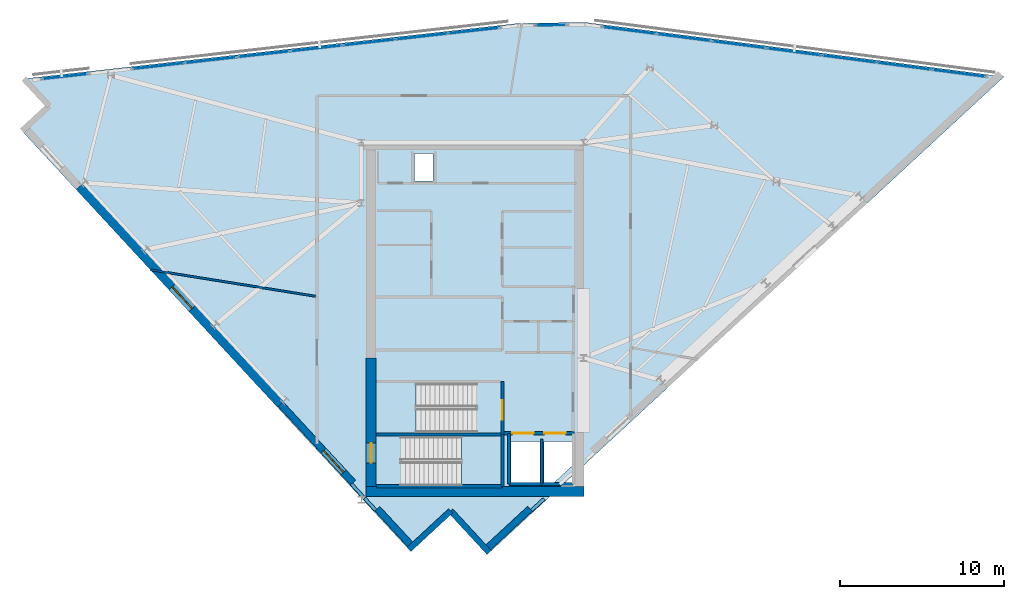
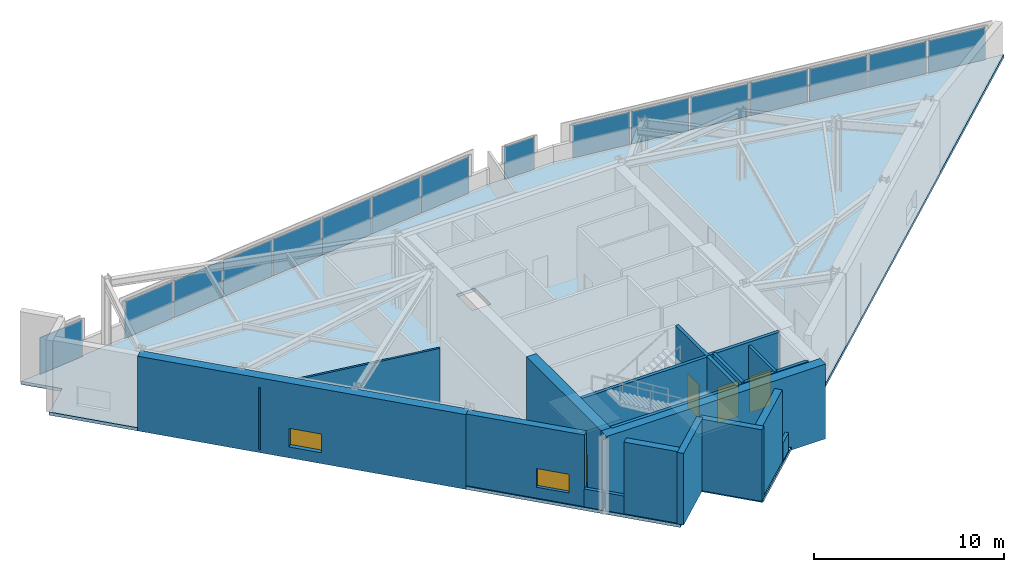
# One storey, part 8 of 12: 20 walls, 16 plates, 4 doors, 3 slabs, 2 windows, 6 openings, 6 elements without a shape of their own.
"""IFC4 building model written with IfcOpenShell, lengths in metres."""

from ifc_helpers import new_model, si_unit, direction, frame, frame_2d, origin, origin_2d, place, context, subcontext, project, spatial, polyline, rectangle, outline, extrude, material, layer, layer_set, type_object, element, fill, aggregate, save


model = new_model("IFC4")

# Units and contexts
model_context = context("Model", 3, precision=1e-05, world=origin(), true_north=direction((0.0, 1.0)))
body_context = subcontext(model_context, "Body", "Model", "MODEL_VIEW")
ifc_project = project(units=[si_unit("LENGTHUNIT", "METRE"), si_unit("AREAUNIT", "SQUARE_METRE"), si_unit("VOLUMEUNIT", "CUBIC_METRE"), si_unit("PLANEANGLEUNIT", "RADIAN"), si_unit("MASSUNIT", "GRAM", prefix="KILO")], contexts=[model_context])

# Site, building, storey
site_placement = place(None, origin())
site = spatial("IfcSite", under=ifc_project, at=site_placement, CompositionType="ELEMENT")
building_placement = place(site_placement, origin())
building = spatial("IfcBuilding", under=site, at=building_placement, Name="Narakoshi Arena Tower", CompositionType="ELEMENT")
storey_placement = place(building_placement, frame((0.0, 0.0, 307.780029296875)))
storey = spatial("IfcBuildingStorey", under=building, at=storey_placement, Name="L83", CompositionType="ELEMENT", Elevation=307.780029296875)

# Curtain wall, plate
ifc_material_1 = material(Name="Anodised bronze aluminium 6063-T6", Category="aluminium")
curtain_wall_type = type_object("IfcCurtainWallType", Name="CW-CRN-FACET", PredefinedType="NOTDEFINED", material=ifc_material_1)
curtain_wall_1_placement = place(storey_placement, origin())
curtain_wall_1 = element("IfcCurtainWall", 1, at=curtain_wall_1_placement, inside=storey, type_object=curtain_wall_type, Name="L83 Slanted-Cut Crown Curtain Wall 6-1", PredefinedType="NOTDEFINED")
ifc_material_2 = material(Name="Bronze-tinted low-E laminated glass", Category="glass")
ifc_layer_1 = layer(ifc_material_2, 0.0439453125)
ifc_layer_set_1 = layer_set([ifc_layer_1], Name="Bronze-tinted low-E laminated glass")
plate_type = type_object("IfcPlateType", Name="PLT-GLZ-44", PredefinedType="CURTAIN_PANEL", material=ifc_layer_set_1)
plate_1_placement = place(storey_placement, frame((53.931640625, 60.52734375, 0.06982421875), z_axis=(0.0, 0.0, 1.0), x_axis=(0.993776228952, 0.1113948238, 0.0)))
plate_1 = element("IfcPlate", 2, at=plate_1_placement, type_object=plate_type, Name="CW-06 panel 1.1", PredefinedType="CURTAIN_PANEL", context=body_context, shape_type="SweptSolid", body=[
    extrude(rectangle(XDim=2.756591796875, YDim=0.0439453125, at=origin_2d()), origin(), (0.0, 0.0, 1.0), 2.347412109375),
])
aggregate(curtain_wall_1, [plate_1])

# Curtain wall, plates
curtain_wall_2_placement = place(storey_placement, origin())
curtain_wall_2 = element("IfcCurtainWall", 3, at=curtain_wall_2_placement, inside=storey, type_object=curtain_wall_type, Name="L83 Slanted-Cut Crown Curtain Wall 6-2", PredefinedType="NOTDEFINED")
plate_2_placement = place(storey_placement, frame((59.628662109375, 61.166015625, 0.06982421875), z_axis=(0.0, 0.0, 1.0), x_axis=(0.993776180576, 0.11139525537, 0.0)))
plate_2 = element("IfcPlate", 4, at=plate_2_placement, type_object=plate_type, Name="CW-06 panel 1.1", PredefinedType="CURTAIN_PANEL", context=body_context, shape_type="SweptSolid", body=[
    extrude(rectangle(XDim=3.11572265625, YDim=0.0439453125, at=origin_2d()), origin(), (0.0, 0.0, 1.0), 2.347412109375),
])
plate_3_placement = place(storey_placement, frame((62.824462890625, 61.524169921875, 0.06982421875), z_axis=(0.0, 0.0, 1.0), x_axis=(0.993776180576, 0.11139525537, 0.0)))
plate_3 = element("IfcPlate", 5, at=plate_3_placement, type_object=plate_type, Name="CW-06 panel 2.1", PredefinedType="CURTAIN_PANEL", context=body_context, shape_type="SweptSolid", body=[
    extrude(rectangle(XDim=3.15576171875, YDim=0.0439453125, at=origin_2d()), origin(), (0.0, 0.0, 1.0), 2.347412109375),
])
plate_4_placement = place(storey_placement, frame((66.040283203125, 61.884521484375, 0.06982421875), z_axis=(0.0, 0.0, 1.0), x_axis=(0.993776180576, 0.11139525537, 0.0)))
plate_4 = element("IfcPlate", 6, at=plate_4_placement, type_object=plate_type, Name="CW-06 panel 3.1", PredefinedType="CURTAIN_PANEL", context=body_context, shape_type="SweptSolid", body=[
    extrude(rectangle(XDim=3.15576171875, YDim=0.0439453125, at=origin_2d()), origin(), (0.0, 0.0, 1.0), 2.347412109375),
])
plate_5_placement = place(storey_placement, frame((69.255859375, 62.2451171875, 0.06982421875), z_axis=(0.0, 0.0, 1.0), x_axis=(0.993776180576, 0.11139525537, 0.0)))
plate_5 = element("IfcPlate", 7, at=plate_5_placement, type_object=plate_type, Name="CW-06 panel 4.1", PredefinedType="CURTAIN_PANEL", context=body_context, shape_type="SweptSolid", body=[
    extrude(rectangle(XDim=3.15576171875, YDim=0.0439453125, at=origin_2d()), origin(), (0.0, 0.0, 1.0), 2.347412109375),
])
plate_6_placement = place(storey_placement, frame((72.4716796875, 62.60546875, 0.06982421875), z_axis=(0.0, 0.0, 1.0), x_axis=(0.993776180576, 0.11139525537, 0.0)))
plate_6 = element("IfcPlate", 8, at=plate_6_placement, type_object=plate_type, Name="CW-06 panel 5.1", PredefinedType="CURTAIN_PANEL", context=body_context, shape_type="SweptSolid", body=[
    extrude(rectangle(XDim=3.15576171875, YDim=0.0439453125, at=origin_2d()), origin(), (0.0, 0.0, 1.0), 2.347412109375),
])
plate_7_placement = place(storey_placement, frame((75.687255859375, 62.966064453125, 0.06982421875), z_axis=(0.0, 0.0, 1.0), x_axis=(0.993776180576, 0.11139525537, 0.0)))
plate_7 = element("IfcPlate", 9, at=plate_7_placement, type_object=plate_type, Name="CW-06 panel 6.1", PredefinedType="CURTAIN_PANEL", context=body_context, shape_type="SweptSolid", body=[
    extrude(rectangle(XDim=3.15576171875, YDim=0.0439453125, at=origin_2d()), origin(), (0.0, 0.0, 1.0), 2.347412109375),
])
plate_8_placement = place(storey_placement, frame((78.883056640625, 63.32421875, 0.06982421875), z_axis=(0.0, 0.0, 1.0), x_axis=(0.993776180576, 0.11139525537, 0.0)))
plate_8 = element("IfcPlate", 10, at=plate_8_placement, type_object=plate_type, Name="CW-06 panel 7.1", PredefinedType="CURTAIN_PANEL", context=body_context, shape_type="SweptSolid", body=[
    extrude(rectangle(XDim=3.11572265625, YDim=0.0439453125, at=origin_2d()), origin(), (0.0, 0.0, 1.0), 2.347412109375),
])
aggregate(curtain_wall_2, [plate_2, plate_3, plate_4, plate_5, plate_6, plate_7, plate_8])

# Curtain wall, plate
curtain_wall_3_placement = place(storey_placement, origin())
curtain_wall_3 = element("IfcCurtainWall", 11, at=curtain_wall_3_placement, inside=storey, type_object=curtain_wall_type, Name="L83 Slanted-Cut Crown Curtain Wall 7-1", PredefinedType="NOTDEFINED")
plate_9_placement = place(storey_placement, frame((83.594970703125, 63.656494140625, 0.06982421875), z_axis=(0.0, 0.0, 1.0), x_axis=(0.999864998293, 0.016431226006, 0.0)))
plate_9 = element("IfcPlate", 12, at=plate_9_placement, type_object=plate_type, Name="CW-06 panel 1.1", PredefinedType="CURTAIN_PANEL", context=body_context, shape_type="SweptSolid", body=[
    extrude(rectangle(XDim=1.848388671875, YDim=0.0439453125, at=origin_2d()), origin(), (0.0, 0.0, 1.0), 2.081787109375),
])
aggregate(curtain_wall_3, [plate_9])

# Curtain wall, plates
curtain_wall_4_placement = place(storey_placement, origin())
curtain_wall_4 = element("IfcCurtainWall", 13, at=curtain_wall_4_placement, inside=storey, type_object=curtain_wall_type, Name="L83 Slanted-Cut Crown Curtain Wall 8-1", PredefinedType="NOTDEFINED")
plate_10_placement = place(storey_placement, frame((88.367431640625, 63.335693359375, 0.06982421875), z_axis=(0.0, 0.0, 1.0), x_axis=(0.991658958218, -0.128889528611, 0.0)))
plate_10 = element("IfcPlate", 14, at=plate_10_placement, type_object=plate_type, Name="CW-06 panel 1.1", PredefinedType="CURTAIN_PANEL", context=body_context, shape_type="SweptSolid", body=[
    extrude(rectangle(XDim=3.263427734375, YDim=0.0439453125, at=origin_2d()), origin(), (0.0, 0.0, 1.0), 2.081787109375),
])
plate_11_placement = place(storey_placement, frame((91.70263671875, 62.902099609375, 0.06982421875), z_axis=(0.0, 0.0, 1.0), x_axis=(0.991658958218, -0.128889528611, 0.0)))
plate_11 = element("IfcPlate", 15, at=plate_11_placement, type_object=plate_type, Name="CW-06 panel 2.1", PredefinedType="CURTAIN_PANEL", context=body_context, shape_type="SweptSolid", body=[
    extrude(rectangle(XDim=3.303466796875, YDim=0.0439453125, at=origin_2d()), origin(), (0.0, 0.0, 1.0), 2.081787109375),
])
plate_12_placement = place(storey_placement, frame((95.057861328125, 62.466064453125, 0.06982421875), z_axis=(0.0, 0.0, 1.0), x_axis=(0.991658958218, -0.128889528611, 0.0)))
plate_12 = element("IfcPlate", 16, at=plate_12_placement, type_object=plate_type, Name="CW-06 panel 3.1", PredefinedType="CURTAIN_PANEL", context=body_context, shape_type="SweptSolid", body=[
    extrude(rectangle(XDim=3.303466796875, YDim=0.0439453125, at=origin_2d()), origin(), (0.0, 0.0, 1.0), 2.081787109375),
])
plate_13_placement = place(storey_placement, frame((98.4130859375, 62.02978515625, 0.06982421875), z_axis=(0.0, 0.0, 1.0), x_axis=(0.991658958218, -0.128889528611, 0.0)))
plate_13 = element("IfcPlate", 17, at=plate_13_placement, type_object=plate_type, Name="CW-06 panel 4.1", PredefinedType="CURTAIN_PANEL", context=body_context, shape_type="SweptSolid", body=[
    extrude(rectangle(XDim=3.303466796875, YDim=0.0439453125, at=origin_2d()), origin(), (0.0, 0.0, 1.0), 2.081787109375),
])
plate_14_placement = place(storey_placement, frame((101.768310546875, 61.59375, 0.06982421875), z_axis=(0.0, 0.0, 1.0), x_axis=(0.991658958218, -0.128889528611, 0.0)))
plate_14 = element("IfcPlate", 18, at=plate_14_placement, type_object=plate_type, Name="CW-06 panel 5.1", PredefinedType="CURTAIN_PANEL", context=body_context, shape_type="SweptSolid", body=[
    extrude(rectangle(XDim=3.303466796875, YDim=0.0439453125, at=origin_2d()), origin(), (0.0, 0.0, 1.0), 2.081787109375),
])
plate_15_placement = place(storey_placement, frame((105.12353515625, 61.15771484375, 0.06982421875), z_axis=(0.0, 0.0, 1.0), x_axis=(0.991658958218, -0.128889528611, 0.0)))
plate_15 = element("IfcPlate", 19, at=plate_15_placement, type_object=plate_type, Name="CW-06 panel 6.1", PredefinedType="CURTAIN_PANEL", context=body_context, shape_type="SweptSolid", body=[
    extrude(rectangle(XDim=3.303466796875, YDim=0.0439453125, at=origin_2d()), origin(), (0.0, 0.0, 1.0), 2.081787109375),
])
plate_16_placement = place(storey_placement, frame((108.458740234375, 60.72412109375, 0.06982421875), z_axis=(0.0, 0.0, 1.0), x_axis=(0.991658958218, -0.128889528611, 0.0)))
plate_16 = element("IfcPlate", 20, at=plate_16_placement, type_object=plate_type, Name="CW-06 panel 7.1", PredefinedType="CURTAIN_PANEL", context=body_context, shape_type="SweptSolid", body=[
    extrude(rectangle(XDim=3.263427734375, YDim=0.0439453125, at=origin_2d()), origin(), (0.0, 0.0, 1.0), 2.081787109375),
])
aggregate(curtain_wall_4, [plate_10, plate_11, plate_12, plate_13, plate_14, plate_15, plate_16])

# Stair, slab
ifc_material_3 = material(Name="Concrete C45/55", Category="concrete")
stair_type = type_object("IfcStairType", Name="STR-CRN-480", PredefinedType="TWO_STRAIGHT_RUN_STAIR", material=ifc_material_3)
stair_1_placement = place(storey_placement, origin())
stair_1 = element("IfcStair", 21, at=stair_1_placement, inside=storey, type_object=stair_type, Name="L83 Core Escape Stair ST1", PredefinedType="TWO_STRAIGHT_RUN_STAIR")
ifc_layer_2 = layer(ifc_material_3, 0.18994140625)
ifc_layer_set_2 = layer_set([ifc_layer_2], Name="Concrete C45/55")
slab_type_1 = type_object("IfcSlabType", Name="SLB-LND-190", PredefinedType="LANDING", material=ifc_layer_set_2)
slab_1_placement = place(storey_placement, frame((0.0, 0.0, 2.2099609375)))
slab_1 = element("IfcSlab", 22, at=slab_1_placement, type_object=slab_type_1, Name="ST1 landing 1", PredefinedType="LANDING", context=body_context, shape_type="SweptSolid", body=[
    extrude(outline(polyline([(78.10498046875, 35.3701171875), (80.679931640625, 35.3701171875), (80.679931640625, 38.72998046875), (78.10498046875, 38.72998046875), (78.10498046875, 35.3701171875)])), origin(), (0.0, 0.0, 1.0), 0.18994140625),
])
aggregate(stair_1, [slab_1])

stair_2_placement = place(storey_placement, origin())
stair_2 = element("IfcStair", 23, at=stair_2_placement, inside=storey, type_object=stair_type, Name="L83 Core Escape Stair ST2", PredefinedType="TWO_STRAIGHT_RUN_STAIR")
slab_2_placement = place(storey_placement, frame((0.0, 0.0, 2.2099609375)))
slab_2 = element("IfcSlab", 24, at=slab_2_placement, type_object=slab_type_1, Name="ST2 landing 1", PredefinedType="LANDING", context=body_context, shape_type="SweptSolid", body=[
    extrude(outline(polyline([(72.77001953125, 38.6201171875), (75.344970703125, 38.6201171875), (75.344970703125, 41.97998046875), (72.77001953125, 41.97998046875), (72.77001953125, 38.6201171875)])), origin(), (0.0, 0.0, 1.0), 0.18994140625),
])
aggregate(stair_2, [slab_2])

# Slab
ifc_layer_3 = layer(ifc_material_3, 0.199951171875)
ifc_layer_set_3 = layer_set([ifc_layer_3], Name="Concrete C45/55")
slab_type_2 = type_object("IfcSlabType", Name="SLB-TWR-200", PredefinedType="FLOOR", material=ifc_layer_set_3)
slab_3_placement = place(storey_placement, frame((0.0, 0.0, -0.199951171875)))
element("IfcSlab", 25, at=slab_3_placement, inside=storey, type_object=slab_type_2, Name="L83 Structural Floor Slab", PredefinedType="FLOOR", context=body_context, shape_type="SweptSolid", body=[
    extrude(outline(polyline([(79.8056640625, 31.47216796875), (77.45068359375, 34.01953125), (74.9033203125, 31.664794921875), (51.298095703125, 57.200439453125), (52.9541015625, 58.731201171875), (51.42333984375, 60.38720703125), (81.538818359375, 63.7626953125), (85.646728515625, 63.830322265625), (111.215576171875, 60.507080078125), (79.8056640625, 31.47216796875)]), holes=[polyline([(80.5, 38.550048828125), (80.5, 35.550048828125), (74.47998046875, 35.550048828125), (74.47998046875, 38.550048828125), (80.5, 38.550048828125)]), polyline([(82.89990234375, 38.25), (82.89990234375, 35.75), (81.14990234375, 35.75), (81.14990234375, 38.25), (82.89990234375, 38.25)]), polyline([(84.89990234375, 38.25), (84.89990234375, 36.794189453125), (83.7705078125, 35.75), (83.14990234375, 35.75), (83.14990234375, 38.25), (84.89990234375, 38.25)]), polyline([(78.969970703125, 38.800048828125), (72.949951171875, 38.800048828125), (72.949951171875, 41.800048828125), (78.969970703125, 41.800048828125), (78.969970703125, 38.800048828125)]), polyline([(76.3798828125, 54.159912109375), (75.239990234375, 54.159912109375), (75.239990234375, 55.840087890625), (76.3798828125, 55.840087890625), (76.3798828125, 54.159912109375)])]), origin(), (0.0, 0.0, 1.0), 0.199951171875),
])

# Wall, opening, door
ifc_material_4 = material(Name="Concrete C50/60", Category="concrete")
ifc_layer_4 = layer(ifc_material_4, 0.60009765625)
ifc_layer_set_4 = layer_set([ifc_layer_4], Name="Concrete C50/60")
wall_type_1 = type_object("IfcWallType", Name="WL-CORE-600", PredefinedType="SHEAR", material=ifc_layer_set_4)
wall_1_placement = place(storey_placement, frame((72.60009765625, 35.5, -0.199951171875), z_axis=(0.0, 0.0, 1.0), x_axis=(0.0, 1.0, 0.0)))
wall_1 = element("IfcWall", 26, at=wall_1_placement, inside=storey, type_object=wall_type_1, Name="L83 Central Core Shear Wall CW-APX-W", PredefinedType="SHEAR", context=body_context, shape_type="SweptSolid", body=[
    extrude(rectangle(XDim=7.85009765625, YDim=0.60009765625, at=frame_2d((3.925048828125, 0.0))), origin(), (0.0, 0.0, 1.0), 4.7998046875),
])
opening_1_placement = place(wall_1_placement, frame((1.449951171875, 0.0, 0.199951171875)))
opening_1 = element("IfcOpeningElement", 27, at=opening_1_placement, cuts=wall_1, Name="Opening D-03", PredefinedType="OPENING", context=body_context, shape_type="SweptSolid", body=[
    extrude(rectangle(XDim=1.199951171875, YDim=2.199951171875, at=frame_2d((0.60009765625, 1.10009765625))), frame((0.0, 0.31005859375, 0.0), z_axis=(0.0, -1.0, 0.0), x_axis=(1.0, 0.0, 0.0)), (0.0, 0.0, 1.0), 0.6201171875),
])
ifc_material_5 = material(Name="Painted galvanized steel", Category="steel")
door_type_1 = type_object("IfcDoorType", Name="DR-STR-1200", OperationType="NOTDEFINED", PredefinedType="USERDEFINED", material=ifc_material_5)
door_1_placement = place(opening_1_placement, frame((1.199951171875, 0.0, 0.0), z_axis=(0.0, 0.0, 1.0), x_axis=(-1.0, 0.0, 0.0)))
door_1 = element("IfcDoor", 28, at=door_1_placement, inside=storey, type_object=door_type_1, Name="DR-L83-001", ObjectType="EXITDOOR", OperationType="SINGLE_SWING_LEFT", OverallHeight=2.199951171875, OverallWidth=1.199951171875, PredefinedType="USERDEFINED", context=body_context, shape_type="SweptSolid", body=[
    extrude(rectangle(XDim=1.199951171875, YDim=2.199951171875, at=frame_2d((0.60009765625, 1.10009765625))), frame((0.0, 0.02490234375, 0.0), z_axis=(0.0, -1.0, 0.0), x_axis=(1.0, 0.0, 0.0)), (0.0, 0.0, 1.0), 0.050048828125),
])
fill(opening_1, door_1)

# Wall
wall_2_placement = place(storey_placement, frame((72.300048828125, 35.199951171875, -0.199951171875), z_axis=(0.0, 0.0, 1.0), x_axis=(1.0, 0.0, 0.0)))
element("IfcWall", 29, at=wall_2_placement, inside=storey, type_object=wall_type_1, Name="L83 Central Core Shear Wall CW-APX-S", PredefinedType="SHEAR", context=body_context, shape_type="SweptSolid", body=[
    extrude(rectangle(XDim=13.300048828125, YDim=0.60009765625, at=frame_2d((6.64990234375, 0.0))), origin(), (0.0, 0.0, 1.0), 4.7998046875),
])

# Wall, opening, window
ifc_layer_5 = layer(ifc_material_4, 0.550048828125)
ifc_layer_set_5 = layer_set([ifc_layer_5], Name="Concrete C50/60")
wall_type_2 = type_object("IfcWallType", Name="WL-LEG-550", PredefinedType="SHEAR", material=ifc_layer_set_5)
wall_3_placement = place(storey_placement, frame((54.804931640625, 53.81201171875, -0.199951171875), z_axis=(0.0, 0.0, 1.0), x_axis=(0.678803115619, -0.734320318543, 0.0)))
wall_3 = element("IfcWall", 30, at=wall_3_placement, inside=storey, type_object=wall_type_2, Name="L83 Architectural Concrete Structural Wall LEGB-2", PredefinedType="SHEAR", context=body_context, shape_type="SweptSolid", body=[
    extrude(outline(polyline([(0.0, 0.0), (18.082763671875, 0.0), (18.082763671875, 4.7998046875), (0.0, 4.7998046875), (0.0, 0.0)])), frame((0.0, 0.27490234375, 0.0), z_axis=(0.0, -1.0, 0.0), x_axis=(1.0, 0.0, 0.0)), (0.0, 0.0, 1.0), 0.550048828125),
])
opening_2_placement = place(wall_3_placement, frame((8.33447265625, 0.0, 0.699951171875)))
opening_2 = element("IfcOpeningElement", 31, at=opening_2_placement, cuts=wall_3, Name="Opening WN-05", PredefinedType="OPENING", context=body_context, shape_type="SweptSolid", body=[
    extrude(rectangle(XDim=1.800048828125, YDim=1.199951171875, at=frame_2d((0.89990234375, 0.60009765625))), frame((0.0, 0.284912109375, 0.0), z_axis=(0.0, -1.0, 0.0), x_axis=(1.0, 0.0, 0.0)), (0.0, 0.0, 1.0), 0.570068359375),
])
window_type = type_object("IfcWindowType", Name="WIN-SLT-18x12", PartitioningType="SINGLE_PANEL", PredefinedType="WINDOW", material=ifc_material_2)
window_1_placement = place(opening_2_placement, origin())
window_1 = element("IfcWindow", 32, at=window_1_placement, inside=storey, type_object=window_type, Name="L83 LEGB2 Horizontal Slot Window 1", OverallHeight=1.199951171875, OverallWidth=1.800048828125, PartitioningType="SINGLE_PANEL", PredefinedType="WINDOW", context=body_context, shape_type="SweptSolid", body=[
    extrude(rectangle(XDim=1.800048828125, YDim=1.199951171875, at=frame_2d((0.89990234375, 0.60009765625))), frame((0.0, 0.030029296875, 0.0), z_axis=(0.0, -1.0, 0.0), x_axis=(1.0, 0.0, 0.0)), (0.0, 0.0, 1.0), 0.06005859375),
])
fill(opening_2, window_1)

# Walls
ifc_material_6 = material(Name="Precast concrete C45/55", Category="concrete")
ifc_layer_6 = layer(ifc_material_6, 0.25)
ifc_layer_set_6 = layer_set([ifc_layer_6], Name="Precast concrete C45/55")
wall_type_3 = type_object("IfcWallType", Name="WL-PARA-250", PredefinedType="PARAPET", material=ifc_layer_set_6)
wall_4_placement = place(storey_placement, frame((72.881103515625, 34.058349609375, 0.0), z_axis=(0.0, 0.0, 1.0), x_axis=(-0.678872530156, 0.734256145905, 0.0)))
element("IfcWall", 33, at=wall_4_placement, inside=storey, type_object=wall_type_3, Name="L83 Crown Sill Upstand Parapet 01", PredefinedType="PARAPET", context=body_context, shape_type="SweptSolid", body=[
    extrude(rectangle(XDim=1.009521484375, YDim=0.199951171875, at=frame_2d((0.5048828125, 0.0))), origin(), (0.0, 0.0, 1.0), 1.14990234375),
])
wall_5_placement = place(storey_placement, frame((72.114990234375, 34.88720703125, 0.0), z_axis=(0.0, 0.0, 1.0), x_axis=(-0.678713667452, 0.734402994012, 0.0)))
element("IfcWall", 34, at=wall_5_placement, inside=storey, type_object=wall_type_3, Name="L83 Crown Sill Upstand Parapet 02", PredefinedType="PARAPET", context=body_context, shape_type="SweptSolid", body=[
    extrude(rectangle(XDim=1.05224609375, YDim=0.199951171875, at=frame_2d((0.526123046875, 0.0))), origin(), (0.0, 0.0, 1.0), 1.14990234375),
])
wall_6_placement = place(storey_placement, frame((83.15625, 34.760009765625, 0.0), z_axis=(0.0, 0.0, 1.0), x_axis=(-0.734364355784, -0.678755473609, 0.0)))
element("IfcWall", 35, at=wall_6_placement, inside=storey, type_object=wall_type_3, Name="L83 Crown Sill Upstand Parapet 08", PredefinedType="PARAPET", context=body_context, shape_type="SweptSolid", body=[
    extrude(rectangle(XDim=1.044921875, YDim=0.199951171875, at=frame_2d((0.5224609375, 0.0))), origin(), (0.0, 0.0, 1.0), 1.14990234375),
])
ifc_material_7 = material(Name="Gypsum plasterboard fire-rated partition")
ifc_layer_7 = layer(ifc_material_7, 0.125)
ifc_layer_set_7 = layer_set([ifc_layer_7], Name="Gypsum plasterboard fire-rated partition")
wall_type_4 = type_object("IfcWallType", Name="WL-PART-125", PredefinedType="PARTITIONING", material=ifc_layer_set_7)
wall_7_placement = place(storey_placement, frame((59.130615234375, 48.727294921875, 0.0), z_axis=(0.0, 0.0, 1.0), x_axis=(0.987428385087, -0.158067024787, 0.0)))
element("IfcWall", 36, at=wall_7_placement, inside=storey, type_object=wall_type_4, Name="L83 Inter-Room Partition 01-04", PredefinedType="PARTITIONING", context=body_context, shape_type="SweptSolid", body=[
    extrude(rectangle(XDim=10.203125, YDim=0.125, at=frame_2d((5.1015625, 0.0))), origin(), (0.0, 0.0, 1.0), 3.98486328125),
])
ifc_layer_8 = layer(ifc_material_6, 0.419921875)
ifc_layer_set_8 = layer_set([ifc_layer_8], Name="Precast concrete C45/55")
wall_type_5 = type_object("IfcWallType", Name="WL-POD-420", PredefinedType="SOLIDWALL", material=ifc_layer_set_8)
wall_8_placement = place(storey_placement, frame((79.618896484375, 31.674072265625, 0.0), z_axis=(0.0, 0.0, 1.0), x_axis=(0.734338793707, 0.678783128884, 0.0)))
element("IfcWall", 37, at=wall_8_placement, inside=storey, type_object=wall_type_5, Name="L83 Architectural Concrete Facade Wall LEGA-1", PredefinedType="SOLIDWALL", context=body_context, shape_type="SweptSolid", body=[
    extrude(outline(polyline([(0.0, 0.0), (3.6474609375, 0.0), (3.647705078125, 4.599853515625), (0.0, 4.599853515625), (0.0, 0.0)])), frame((0.0, 0.2099609375, 0.0), z_axis=(0.0, -1.0, 0.0), x_axis=(1.0, 0.0, 0.0)), (0.0, 0.0, 1.0), 0.419921875),
])

# Wall, opening, window
wall_9_placement = place(storey_placement, frame((67.07958984375, 40.533447265625, 0.0), z_axis=(0.0, 0.0, 1.0), x_axis=(0.678800006437, -0.734323192648, 0.0)))
wall_9 = element("IfcWall", 38, at=wall_9_placement, inside=storey, type_object=wall_type_5, Name="L83 Architectural Concrete Facade Wall LEGB-3", PredefinedType="SOLIDWALL", context=body_context, shape_type="SweptSolid", body=[
    extrude(outline(polyline([(0.0, 0.0), (6.51220703125, 0.0), (6.51220703125, 4.599853515625), (0.0, 4.599853515625), (0.0, 0.0)])), frame((0.0, 0.2099609375, 0.0), z_axis=(0.0, -1.0, 0.0), x_axis=(1.0, 0.0, 0.0)), (0.0, 0.0, 1.0), 0.419921875),
])
opening_3_placement = place(wall_9_placement, frame((3.865234375, 0.0, 0.699951171875)))
opening_3 = element("IfcOpeningElement", 39, at=opening_3_placement, cuts=wall_9, Name="Opening WN-05", PredefinedType="OPENING", context=body_context, shape_type="SweptSolid", body=[
    extrude(rectangle(XDim=1.800048828125, YDim=1.199951171875, at=frame_2d((0.89990234375, 0.60009765625))), frame((0.0, 0.219970703125, 0.0), z_axis=(0.0, -1.0, 0.0), x_axis=(1.0, 0.0, 0.0)), (0.0, 0.0, 1.0), 0.43994140625),
])
window_2_placement = place(opening_3_placement, origin())
window_2 = element("IfcWindow", 40, at=window_2_placement, inside=storey, type_object=window_type, Name="L83 LEGB3 Horizontal Slot Window 1", OverallHeight=1.199951171875, OverallWidth=1.800048828125, PartitioningType="SINGLE_PANEL", PredefinedType="WINDOW", context=body_context, shape_type="SweptSolid", body=[
    extrude(rectangle(XDim=1.800048828125, YDim=1.199951171875, at=frame_2d((0.89990234375, 0.60009765625))), frame((0.0, 0.030029296875, 0.0), z_axis=(0.0, -1.0, 0.0), x_axis=(1.0, 0.0, 0.0)), (0.0, 0.0, 1.0), 0.06005859375),
])
fill(opening_3, window_2)

# Walls
wall_10_placement = place(storey_placement, frame((72.980224609375, 34.14990234375, 0.0), z_axis=(0.0, 0.0, 1.0), x_axis=(0.67879500555, -0.73432781538, 0.0)))
element("IfcWall", 41, at=wall_10_placement, inside=storey, type_object=wall_type_5, Name="L83 Architectural Concrete Facade Wall LEGB-4", PredefinedType="SOLIDWALL", context=body_context, shape_type="SweptSolid", body=[
    extrude(outline(polyline([(0.0, 0.0), (3.130126953125, 0.0), (3.13037109375, 4.599853515625), (0.0, 4.599853515625), (0.0, 0.0)])), frame((0.0, 0.2099609375, 0.0), z_axis=(0.0, -1.0, 0.0), x_axis=(1.0, 0.0, 0.0)), (0.0, 0.0, 1.0), 0.419921875),
])
wall_11_placement = place(storey_placement, frame((74.9033203125, 31.664794921875, 0.0), z_axis=(0.0, 0.0, 1.0), x_axis=(0.734325680362, 0.678797315228, 0.0)))
element("IfcWall", 42, at=wall_11_placement, inside=storey, type_object=wall_type_5, Name="L83 Re-Entrant Corner Notch Wall NTA-1", PredefinedType="SOLIDWALL", context=body_context, shape_type="SweptSolid", body=[
    extrude(rectangle(XDim=3.468994140625, YDim=0.360107421875, at=frame_2d((1.734375, 0.0))), origin(), (0.0, 0.0, 1.0), 4.599853515625),
])
wall_12_placement = place(storey_placement, frame((77.45068359375, 34.01953125, 0.0), z_axis=(0.0, 0.0, 1.0), x_axis=(0.678835262818, -0.734290600481, 0.0)))
element("IfcWall", 43, at=wall_12_placement, inside=storey, type_object=wall_type_5, Name="L83 Re-Entrant Corner Notch Wall NTA-2", PredefinedType="SOLIDWALL", context=body_context, shape_type="SweptSolid", body=[
    extrude(rectangle(XDim=3.46923828125, YDim=0.360107421875, at=frame_2d((1.734619140625, 0.0))), origin(), (0.0, 0.0, 1.0), 4.599853515625),
])
ifc_material_8 = material(Name="Concrete C40/50", Category="concrete")
ifc_layer_9 = layer(ifc_material_8, 0.280029296875)
ifc_layer_set_9 = layer_set([ifc_layer_9], Name="Concrete C40/50")
wall_type_6 = type_object("IfcWallType", Name="WL-RISER-280", PredefinedType="PLUMBINGWALL", material=ifc_layer_set_9)
wall_13_placement = place(storey_placement, frame((83.0, 35.64990234375, 0.0), z_axis=(0.0, 0.0, 1.0), x_axis=(0.0, 1.0, 0.0)))
element("IfcWall", 44, at=wall_13_placement, inside=storey, type_object=wall_type_6, Name="L83 Core Wall FF-DIV", PredefinedType="PLUMBINGWALL", context=body_context, shape_type="SweptSolid", body=[
    extrude(rectangle(XDim=2.75, YDim=0.159912109375, at=frame_2d((1.375, 0.0))), origin(), (0.0, 0.0, 1.0), 4.599853515625),
])
ifc_layer_10 = layer(ifc_material_4, 0.35009765625)
ifc_layer_set_10 = layer_set([ifc_layer_10], Name="Concrete C50/60")
wall_type_7 = type_object("IfcWallType", Name="WL-SHAFT-350", PredefinedType="SOLIDWALL", material=ifc_layer_set_10)
for number, where, z_axis, x_axis, name in (
    (45, (72.919921875, 35.52001953125, -0.199951171875), (0.0, 0.0, 1.0), (1.0, 0.0, 0.0), "L83 Core Wall ST1-S"),
    (46, (72.919921875, 38.675048828125, -0.199951171875), (0.0, 0.0, 1.0), (1.0, 0.0, 0.0), "L83 Core Wall ST12-DIV"),
):
    element("IfcWall", number, at=place(storey_placement, frame(where, z_axis=z_axis, x_axis=x_axis)), inside=storey, type_object=wall_type_7, Name=name, PredefinedType="SOLIDWALL", context=body_context, shape_type="SweptSolid", body=[
        extrude(rectangle(XDim=7.7001953125, YDim=0.199951171875, at=frame_2d((3.85009765625, 0.0))), origin(), (0.0, 0.0, 1.0), 4.7998046875),
    ])
wall_14_placement = place(storey_placement, frame((80.6201171875, 35.52001953125, -0.199951171875), z_axis=(0.0, 0.0, 1.0), x_axis=(0.0, 1.0, 0.0)))
element("IfcWall", 47, at=wall_14_placement, inside=storey, type_object=wall_type_7, Name="L83 Core Wall ST1-E", PredefinedType="SOLIDWALL", context=body_context, shape_type="SweptSolid", body=[
    extrude(rectangle(XDim=3.155029296875, YDim=0.199951171875, at=frame_2d((1.57763671875, 0.0))), origin(), (0.0, 0.0, 1.0), 4.7998046875),
])

# Wall, opening, door
wall_15_placement = place(storey_placement, frame((80.6201171875, 38.675048828125, -0.199951171875), z_axis=(0.0, 0.0, 1.0), x_axis=(0.0, 1.0, 0.0)))
wall_15 = element("IfcWall", 48, at=wall_15_placement, inside=storey, type_object=wall_type_7, Name="L83 Core Wall ST2-E", PredefinedType="SOLIDWALL", context=body_context, shape_type="SweptSolid", body=[
    extrude(rectangle(XDim=3.244873046875, YDim=0.199951171875, at=frame_2d((1.62255859375, 0.0))), origin(), (0.0, 0.0, 1.0), 4.7998046875),
])
opening_4_placement = place(wall_15_placement, frame((0.89990234375, 0.0, 0.199951171875)))
opening_4 = element("IfcOpeningElement", 49, at=opening_4_placement, cuts=wall_15, Name="Opening D-03", PredefinedType="OPENING", context=body_context, shape_type="SweptSolid", body=[
    extrude(rectangle(XDim=1.199951171875, YDim=2.199951171875, at=frame_2d((0.60009765625, 1.10009765625))), frame((0.0, 0.10986328125, 0.0), z_axis=(0.0, -1.0, 0.0), x_axis=(1.0, 0.0, 0.0)), (0.0, 0.0, 1.0), 0.219970703125),
])
door_2_placement = place(opening_4_placement, origin())
door_2 = element("IfcDoor", 50, at=door_2_placement, inside=storey, type_object=door_type_1, Name="DR-L83-002", ObjectType="EXITDOOR", OperationType="SINGLE_SWING_RIGHT", OverallHeight=2.199951171875, OverallWidth=1.199951171875, PredefinedType="USERDEFINED", context=body_context, shape_type="SweptSolid", body=[
    extrude(rectangle(XDim=1.199951171875, YDim=2.199951171875, at=frame_2d((0.60009765625, 1.10009765625))), frame((0.0, 0.02490234375, 0.0), z_axis=(0.0, -1.0, 0.0), x_axis=(1.0, 0.0, 0.0)), (0.0, 0.0, 1.0), 0.050048828125),
])
fill(opening_4, door_2)

# Wall, openings, doors
wall_16_placement = place(storey_placement, frame((80.719970703125, 38.75, 0.0), z_axis=(0.0, 0.0, 1.0), x_axis=(1.0, 0.0, 0.0)))
wall_16 = element("IfcWall", 51, at=wall_16_placement, inside=storey, type_object=wall_type_7, Name="L83 Core Wall FF-N", PredefinedType="SOLIDWALL", context=body_context, shape_type="SweptSolid", body=[
    extrude(rectangle(XDim=4.260009765625, YDim=0.199951171875, at=frame_2d((2.1298828125, 0.0))), origin(), (0.0, 0.0, 1.0), 4.599853515625),
])
opening_5_placement = place(wall_16_placement, frame((0.5, 0.0, 0.0)))
opening_5 = element("IfcOpeningElement", 52, at=opening_5_placement, cuts=wall_16, Name="Opening LD-02", PredefinedType="OPENING", context=body_context, shape_type="SweptSolid", body=[
    extrude(rectangle(XDim=1.300048828125, YDim=2.300048828125, at=frame_2d((0.64990234375, 1.14990234375))), frame((0.0, 0.10986328125, 0.0), z_axis=(0.0, -1.0, 0.0), x_axis=(1.0, 0.0, 0.0)), (0.0, 0.0, 1.0), 0.219970703125),
])
opening_6_placement = place(wall_16_placement, frame((2.449951171875, 0.0, 0.0)))
opening_6 = element("IfcOpeningElement", 53, at=opening_6_placement, cuts=wall_16, Name="Opening LD-02", PredefinedType="OPENING", context=body_context, shape_type="SweptSolid", body=[
    extrude(rectangle(XDim=1.300048828125, YDim=2.300048828125, at=frame_2d((0.64990234375, 1.14990234375))), frame((0.0, 0.10986328125, 0.0), z_axis=(0.0, -1.0, 0.0), x_axis=(1.0, 0.0, 0.0)), (0.0, 0.0, 1.0), 0.219970703125),
])
ifc_material_9 = material(Name="Brushed bronze stainless steel", Category="steel")
door_type_2 = type_object("IfcDoorType", Name="DR-LFT-1300", OperationType="DOUBLE_DOOR_SLIDING", PredefinedType="DOOR", material=ifc_material_9)
door_3_placement = place(opening_5_placement, origin())
door_3 = element("IfcDoor", 54, at=door_3_placement, inside=storey, type_object=door_type_2, Name="DR-L83-003", OperationType="DOUBLE_DOOR_SLIDING", OverallHeight=2.300048828125, OverallWidth=1.300048828125, PredefinedType="DOOR", context=body_context, shape_type="SweptSolid", body=[
    extrude(rectangle(XDim=1.300048828125, YDim=2.300048828125, at=frame_2d((0.64990234375, 1.14990234375))), frame((0.0, 0.02490234375, 0.0), z_axis=(0.0, -1.0, 0.0), x_axis=(1.0, 0.0, 0.0)), (0.0, 0.0, 1.0), 0.050048828125),
])
fill(opening_5, door_3)
door_4_placement = place(opening_6_placement, origin())
door_4 = element("IfcDoor", 55, at=door_4_placement, inside=storey, type_object=door_type_2, Name="DR-L83-004", OperationType="DOUBLE_DOOR_SLIDING", OverallHeight=2.300048828125, OverallWidth=1.300048828125, PredefinedType="DOOR", context=body_context, shape_type="SweptSolid", body=[
    extrude(rectangle(XDim=1.300048828125, YDim=2.300048828125, at=frame_2d((0.64990234375, 1.14990234375))), frame((0.0, 0.02490234375, 0.0), z_axis=(0.0, -1.0, 0.0), x_axis=(1.0, 0.0, 0.0)), (0.0, 0.0, 1.0), 0.050048828125),
])
fill(opening_6, door_4)

# Walls
wall_17_placement = place(storey_placement, frame((81.02001953125, 35.64990234375, 0.0), z_axis=(0.0, 0.0, 1.0), x_axis=(0.0, 1.0, 0.0)))
element("IfcWall", 56, at=wall_17_placement, inside=storey, type_object=wall_type_7, Name="L83 Core Wall FF-W", PredefinedType="SOLIDWALL", context=body_context, shape_type="SweptSolid", body=[
    extrude(rectangle(XDim=3.10009765625, YDim=0.179931640625, at=frame_2d((1.550048828125, 0.0))), origin(), (0.0, 0.0, 1.0), 4.599853515625),
])
wall_18_placement = place(storey_placement, frame((81.02001953125, 35.64990234375, 0.0), z_axis=(0.0, 0.0, 1.0), x_axis=(1.0, 0.0, 0.0)))
element("IfcWall", 57, at=wall_18_placement, inside=storey, type_object=wall_type_7, Name="L83 Core Wall FF-S", PredefinedType="SOLIDWALL", context=body_context, shape_type="SweptSolid", body=[
    extrude(rectangle(XDim=3.929931640625, YDim=0.179931640625, at=frame_2d((1.96484375, 0.0))), origin(), (0.0, 0.0, 1.0), 4.599853515625),
])

save(model, "model.ifc")
